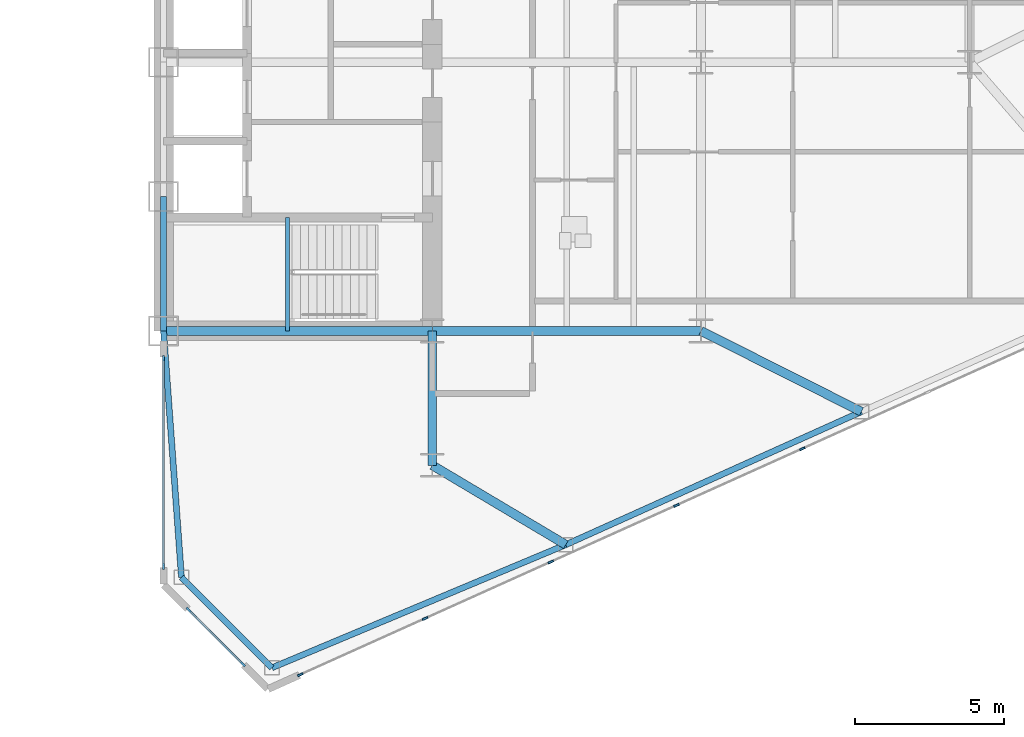
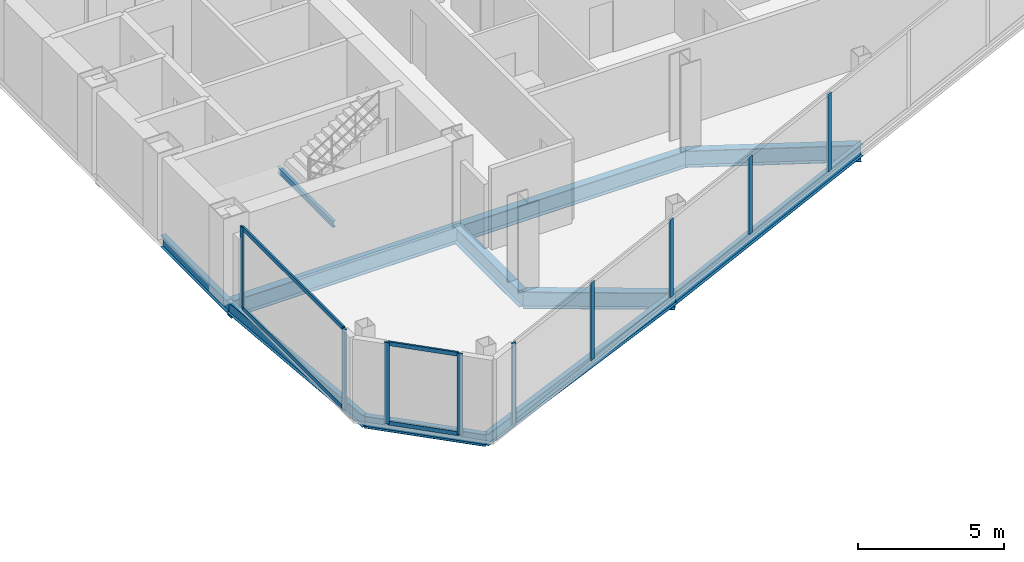
# One storey, part 10 of 27: 13 members, 11 beams, 3 elements without a shape of their own.
"""IFC4 building model written with IfcOpenShell, lengths in metres."""

from ifc_helpers import new_model, si_unit, direction, frame, origin, origin_2d, place, context, subcontext, project, spatial, rectangle, i_section, extrude, source, transform, mapped, material, layer, layer_set, material_profile, profile_set, type_object, type_shapes, element, aggregate, save


model = new_model("IFC4")

# Units and contexts
model_context = context("Model", 3, precision=1e-05, world=origin(), true_north=direction((0.0, 1.0)))
body_context = subcontext(model_context, "Body", "Model", "MODEL_VIEW")
ifc_project = project(units=[si_unit("LENGTHUNIT", "METRE"), si_unit("AREAUNIT", "SQUARE_METRE"), si_unit("VOLUMEUNIT", "CUBIC_METRE"), si_unit("PLANEANGLEUNIT", "RADIAN"), si_unit("MASSUNIT", "GRAM", prefix="KILO")], contexts=[model_context])

# Site, building, storey
site_placement = place(None, origin())
site = spatial("IfcSite", under=ifc_project, at=site_placement, CompositionType="ELEMENT")
building_placement = place(site_placement, origin())
building = spatial("IfcBuilding", under=site, at=building_placement, Name="Seokmaru Belvedere", CompositionType="ELEMENT")
storey_placement = place(building_placement, frame((0.0, 0.0, 96.0)))
storey = spatial("IfcBuildingStorey", under=building, at=storey_placement, Name="L25", CompositionType="ELEMENT", Elevation=96.0)

# Beams
ifc_material_1 = material(Name="Steel SM355 (355 MPa)", Category="steel")
ifc_material_profile_1 = material_profile(ifc_material_1, i_section(OverallWidth=0.199951171875, OverallDepth=0.5, WebThickness=0.010009765625, FlangeThickness=0.01611328125, at=origin_2d()), Name="H-500x200x10x16")
ifc_profile_set_1 = profile_set([ifc_material_profile_1], Name="Steel SM355 (355 MPa)")
beam_type_1 = type_object("IfcBeamType", Name="Perimeter Spandrel Beam H-500", PredefinedType="SPANDREL", material=ifc_profile_set_1)
shared_shape_1 = source(origin(), body_context, "Body", "SweptSolid", [
    extrude(i_section(OverallWidth=0.199951171875, OverallDepth=0.5, WebThickness=0.010009765625, FlangeThickness=0.01611328125, at=origin_2d()), origin(), (0.0, 0.0, 1.0), 4.5),
])
beam_1_placement = place(storey_placement, frame((27.5, -13.5, -0.469970703125), z_axis=(0.0, 1.0, 0.0), x_axis=(-1.0, 0.0, 0.0)))
element("IfcBeam", 1, at=beam_1_placement, inside=storey, type_object=beam_type_1, Name="L25 E Portal Spine Spandrel 1", PredefinedType="SPANDREL", context=body_context, shape_type="MappedRepresentation", body=[
    mapped(shared_shape_1, transform((0.0, 0.0, 0.0), scale=1.0)),
])
ifc_material_profile_2 = material_profile(ifc_material_1, i_section(OverallWidth=0.300048828125, OverallDepth=0.699951171875, WebThickness=0.012939453125, FlangeThickness=0.02392578125, at=origin_2d()), Name="H-700x300x13x24")
ifc_profile_set_2 = profile_set([ifc_material_profile_2], Name="Steel SM355 (355 MPa)")
beam_type_2 = type_object("IfcBeamType", Name="Primary Floor Girder H-700", PredefinedType="BEAM", material=ifc_profile_set_2)
shared_shape_2 = source(origin(), body_context, "Body", "SweptSolid", [
    extrude(i_section(OverallWidth=0.300048828125, OverallDepth=0.699951171875, WebThickness=0.012939453125, FlangeThickness=0.02392578125, at=origin_2d()), origin(), (0.0, 0.0, 1.0), 4.5),
])
beam_2_placement = place(storey_placement, frame((36.5, -18.0, -0.570068359375), z_axis=(0.0, 1.0, 0.0), x_axis=(-1.0, 0.0, 0.0)))
element("IfcBeam", 2, at=beam_2_placement, inside=storey, type_object=beam_type_2, Name="L25 E Core Shoulder Girder S", PredefinedType="BEAM", context=body_context, shape_type="MappedRepresentation", body=[
    mapped(shared_shape_2, transform((0.0, 0.0, 0.0), scale=1.0)),
])
shared_shape_3 = source(origin(), body_context, "Body", "SweptSolid", [
    extrude(i_section(OverallWidth=0.300048828125, OverallDepth=0.699951171875, WebThickness=0.012939453125, FlangeThickness=0.02392578125, at=origin_2d()), origin(), (0.0, 0.0, 1.0), 9.0),
])
for number, where, z_axis, x_axis, name in (
    (3, (27.5, -13.5, -0.570068359375), (1.0, 0.0, 0.0), (0.0, 1.0, 0.0), "L25 E Core Tie Girder 1"),
    (4, (36.5, -13.5, -0.570068359375), (1.0, 0.0, 0.0), (0.0, 1.0, 0.0), "L25 E Wing Primary Girder 1"),
):
    element("IfcBeam", number, at=place(storey_placement, frame(where, z_axis=z_axis, x_axis=x_axis)), inside=storey, type_object=beam_type_2, Name=name, PredefinedType="BEAM", context=body_context, shape_type="MappedRepresentation", body=[
        mapped(shared_shape_3, transform((0.0, 0.0, 0.0), scale=1.0)),
    ])
shared_shape_4 = source(origin(), body_context, "Body", "SweptSolid", [
    extrude(i_section(OverallWidth=0.199951171875, OverallDepth=0.5, WebThickness=0.010009765625, FlangeThickness=0.01611328125, at=origin_2d()), origin(), (0.0, 0.0, 1.0), 10.66943359375),
])
beam_3_placement = place(storey_placement, frame((31.13134765625, -24.782958984375, -0.469970703125), z_axis=(0.922375393128, 0.386294750355, 0.0), x_axis=(-0.386294750355, 0.922375393128, 0.0)))
element("IfcBeam", 5, at=beam_3_placement, inside=storey, type_object=beam_type_1, Name="L25 E Faceted Flank Spandrel S-1", PredefinedType="SPANDREL", context=body_context, shape_type="MappedRepresentation", body=[
    mapped(shared_shape_4, transform((0.0, 0.0, 0.0), scale=1.0)),
])
shared_shape_5 = source(origin(), body_context, "Body", "SweptSolid", [
    extrude(i_section(OverallWidth=0.199951171875, OverallDepth=0.5, WebThickness=0.010009765625, FlangeThickness=0.01611328125, at=origin_2d()), origin(), (0.0, 0.0, 1.0), 10.85888671875),
])
beam_4_placement = place(storey_placement, frame((40.97265625, -20.661376953125, -0.469970703125), z_axis=(0.911921505175, 0.410364677329, 0.0), x_axis=(-0.410364677329, 0.911921505175, 0.0)))
element("IfcBeam", 6, at=beam_4_placement, inside=storey, type_object=beam_type_1, Name="L25 E Faceted Flank Spandrel S-2", PredefinedType="SPANDREL", context=body_context, shape_type="MappedRepresentation", body=[
    mapped(shared_shape_5, transform((0.0, 0.0, 0.0), scale=1.0)),
])
shared_shape_6 = source(origin(), body_context, "Body", "SweptSolid", [
    extrude(i_section(OverallWidth=0.199951171875, OverallDepth=0.5, WebThickness=0.010009765625, FlangeThickness=0.01611328125, at=origin_2d()), origin(), (0.0, 0.0, 1.0), 4.287109375),
])
beam_5_placement = place(storey_placement, frame((31.13134765625, -24.782958984375, -0.469970703125), z_axis=(-0.707078306132, 0.707135255094, 0.0), x_axis=(-0.707135255094, -0.707078306132, 0.0)))
element("IfcBeam", 7, at=beam_5_placement, inside=storey, type_object=beam_type_1, Name="L25 E Shoulder Chamfer Spandrel S", PredefinedType="SPANDREL", context=body_context, shape_type="MappedRepresentation", body=[
    mapped(shared_shape_6, transform((0.0, 0.0, 0.0), scale=1.0)),
])
shared_shape_7 = source(origin(), body_context, "Body", "SweptSolid", [
    extrude(i_section(OverallWidth=0.199951171875, OverallDepth=0.5, WebThickness=0.010009765625, FlangeThickness=0.01611328125, at=origin_2d()), origin(), (0.0, 0.0, 1.0), 8.273193359375),
])
type_shapes(beam_type_1, [shared_shape_1, shared_shape_4, shared_shape_5, shared_shape_6, shared_shape_7])
beam_6_placement = place(storey_placement, frame((28.10009765625, -21.75146484375, -0.469970703125), z_axis=(-0.072534628348, 0.99736589459, 0.0), x_axis=(-0.99736589459, -0.072534628348, 0.0)))
element("IfcBeam", 8, at=beam_6_placement, inside=storey, type_object=beam_type_1, Name="L25 E Shoulder Spine Spandrel S", PredefinedType="SPANDREL", context=body_context, shape_type="MappedRepresentation", body=[
    mapped(shared_shape_7, transform((0.0, 0.0, 0.0), scale=1.0)),
])
shared_shape_8 = source(origin(), body_context, "Body", "SweptSolid", [
    extrude(i_section(OverallWidth=0.300048828125, OverallDepth=0.699951171875, WebThickness=0.012939453125, FlangeThickness=0.02392578125, at=origin_2d()), origin(), (0.0, 0.0, 1.0), 5.20458984375),
])
beam_7_placement = place(storey_placement, frame((40.97265625, -20.661376953125, -0.570068359375), z_axis=(-0.859370434188, 0.511353553662, 0.0), x_axis=(-0.511353553662, -0.859370434188, 0.0)))
element("IfcBeam", 9, at=beam_7_placement, inside=storey, type_object=beam_type_2, Name="L25 E Flank Radial Floor Girder S-1", PredefinedType="BEAM", context=body_context, shape_type="MappedRepresentation", body=[
    mapped(shared_shape_8, transform((0.0, 0.0, 0.0), scale=1.0)),
])
shared_shape_9 = source(origin(), body_context, "Body", "SweptSolid", [
    extrude(i_section(OverallWidth=0.300048828125, OverallDepth=0.699951171875, WebThickness=0.012939453125, FlangeThickness=0.02392578125, at=origin_2d()), origin(), (0.0, 0.0, 1.0), 6.017333984375),
])
type_shapes(beam_type_2, [shared_shape_2, shared_shape_3, shared_shape_8, shared_shape_9])
beam_8_placement = place(storey_placement, frame((50.875, -16.205322265625, -0.570068359375), z_axis=(-0.893239341975, 0.449581447512, 0.0), x_axis=(-0.449581447512, -0.893239341975, 0.0)))
element("IfcBeam", 10, at=beam_8_placement, inside=storey, type_object=beam_type_2, Name="L25 E Flank Radial Floor Girder S-2", PredefinedType="BEAM", context=body_context, shape_type="MappedRepresentation", body=[
    mapped(shared_shape_9, transform((0.0, 0.0, 0.0), scale=1.0)),
])

# Curtain wall, member
ifc_material_2 = material(Name="Bronze Triple Insulating Glass", Category="glass")
ifc_layer = layer(ifc_material_2, 0.195068359375)
ifc_layer_set = layer_set([ifc_layer], Name="Bronze Triple Insulating Glass")
curtain_wall_type = type_object("IfcCurtainWallType", Name="Lower-Mid Tapered Curtain Wall System CW-3", PredefinedType="NOTDEFINED", material=ifc_layer_set)
curtain_wall_1_placement = place(storey_placement, origin())
curtain_wall_1 = element("IfcCurtainWall", 11, at=curtain_wall_1_placement, inside=storey, type_object=curtain_wall_type, Name="L25 Curtain Wall EF1", PredefinedType="NOTDEFINED")
ifc_material_3 = material(Name="Anodised Bronze Aluminium", Category="aluminium")
ifc_material_profile_3 = material_profile(ifc_material_3, rectangle(XDim=0.070068359375, YDim=0.195068359375, at=origin_2d()), Name="CW-M-70x195")
ifc_profile_set_3 = profile_set([ifc_material_profile_3], Name="Anodised Bronze Aluminium")
member_type_1 = type_object("IfcMemberType", Name="Bronze Unitised Mullion 70x195", PredefinedType="MULLION", material=ifc_profile_set_3)
shared_shape_10 = source(origin(), body_context, "Body", "SweptSolid", [
    extrude(rectangle(XDim=0.070068359375, YDim=0.195068359375, at=origin_2d()), origin(), (0.0, 0.0, 1.0), 3.3798828125),
])
member_1_placement = place(storey_placement, frame((32.08056640625, -25.013671875, 0.0), z_axis=(0.0, 0.0, 1.0), x_axis=(-0.41036554765, 0.91192111353, 0.0)))
member_1 = element("IfcMember", 12, at=member_1_placement, type_object=member_type_1, Name="CW:L25:EF1 Mullion 1", PredefinedType="MULLION", context=body_context, shape_type="MappedRepresentation", body=[
    mapped(shared_shape_10, transform((0.0, 0.0, 0.0), scale=1.0)),
])

# Curtain wall, members
curtain_wall_2_placement = place(storey_placement, origin())
curtain_wall_2 = element("IfcCurtainWall", 13, at=curtain_wall_2_placement, inside=storey, type_object=curtain_wall_type, Name="L25 Curtain Wall ESP_1", PredefinedType="NOTDEFINED")
member_2_placement = place(storey_placement, frame((27.5, -14.4150390625, 0.0), z_axis=(0.0, 0.0, 1.0), x_axis=(1.0, 0.0, 0.0)))
member_2 = element("IfcMember", 14, at=member_2_placement, type_object=member_type_1, Name="CW:L25:ESP_1 Mullion 1", PredefinedType="MULLION", context=body_context, shape_type="MappedRepresentation", body=[
    mapped(shared_shape_10, transform((0.0, 0.0, 0.0), scale=1.0)),
])
member_3_placement = place(storey_placement, frame((27.5, -21.39501953125, 0.0), z_axis=(0.0, 0.0, 1.0), x_axis=(1.0, 0.0, 0.0)))
member_3 = element("IfcMember", 15, at=member_3_placement, type_object=member_type_1, Name="CW:L25:ESP_1 Mullion 2", PredefinedType="MULLION", context=body_context, shape_type="MappedRepresentation", body=[
    mapped(shared_shape_10, transform((0.0, 0.0, 0.0), scale=1.0)),
])

curtain_wall_3_placement = place(storey_placement, origin())
curtain_wall_3 = element("IfcCurtainWall", 16, at=curtain_wall_3_placement, inside=storey, type_object=curtain_wall_type, Name="L25 Curtain Wall EF6", PredefinedType="NOTDEFINED")
member_4_placement = place(storey_placement, frame((28.337890625, -22.837890625, 0.0), z_axis=(0.0, 0.0, 1.0), x_axis=(0.707106781187, 0.707106781187, 0.0)))
member_4 = element("IfcMember", 17, at=member_4_placement, type_object=member_type_1, Name="CW:L25:EF6 Mullion 1", PredefinedType="MULLION", context=body_context, shape_type="MappedRepresentation", body=[
    mapped(shared_shape_10, transform((0.0, 0.0, 0.0), scale=1.0)),
])
member_5_placement = place(storey_placement, frame((30.162109375, -24.662109375, 0.0), z_axis=(0.0, 0.0, 1.0), x_axis=(0.707106781187, 0.707106781187, 0.0)))
member_5 = element("IfcMember", 18, at=member_5_placement, type_object=member_type_1, Name="CW:L25:EF6 Mullion 2", PredefinedType="MULLION", context=body_context, shape_type="MappedRepresentation", body=[
    mapped(shared_shape_10, transform((0.0, 0.0, 0.0), scale=1.0)),
])

# Member
ifc_material_profile_4 = material_profile(ifc_material_3, rectangle(XDim=0.070068359375, YDim=0.1650390625, at=origin_2d()), Name="CW-T-70x165")
ifc_profile_set_4 = profile_set([ifc_material_profile_4], Name="Anodised Bronze Aluminium")
member_type_2 = type_object("IfcMemberType", Name="Bronze Unitised Transom 70x165", PredefinedType="USERDEFINED", material=ifc_profile_set_4)
shared_shape_11 = source(origin(), body_context, "Body", "SweptSolid", [
    extrude(rectangle(XDim=0.070068359375, YDim=0.1650390625, at=origin_2d()), origin(), (0.0, 0.0, 1.0), 6.91015625),
])
member_6_placement = place(storey_placement, frame((27.5, -14.449951171875, 0.034912109375), z_axis=(0.0, -1.0, 0.0), x_axis=(1.0, 0.0, 0.0)))
member_6 = element("IfcMember", 19, at=member_6_placement, type_object=member_type_2, Name="CW:L25:ESP_1 Continuous Transom 1", ObjectType="TRANSOM", PredefinedType="USERDEFINED", context=body_context, shape_type="MappedRepresentation", body=[
    mapped(shared_shape_11, transform((0.0, 0.0, 0.0), scale=1.0)),
])

member_7_placement = place(storey_placement, frame((27.5, -14.449951171875, 3.344970703125), z_axis=(0.0, -1.0, 0.0), x_axis=(1.0, 0.0, 0.0)))
member_7 = element("IfcMember", 20, at=member_7_placement, type_object=member_type_2, Name="CW:L25:ESP_1 Continuous Transom 2", ObjectType="TRANSOM", PredefinedType="USERDEFINED", context=body_context, shape_type="MappedRepresentation", body=[
    mapped(shared_shape_11, transform((0.0, 0.0, 0.0), scale=1.0)),
])

aggregate(curtain_wall_2, [member_2, member_3, member_6, member_7])

shared_shape_12 = source(origin(), body_context, "Body", "SweptSolid", [
    extrude(rectangle(XDim=0.070068359375, YDim=0.1650390625, at=origin_2d()), origin(), (0.0, 0.0, 1.0), 2.509521484375),
])
type_shapes(member_type_2, [shared_shape_11, shared_shape_12])
member_8_placement = place(storey_placement, frame((28.36279296875, -22.86279296875, 0.034912109375), z_axis=(0.707106781187, -0.707106781187, 0.0), x_axis=(0.707106781187, 0.707106781187, 0.0)))
member_8 = element("IfcMember", 21, at=member_8_placement, type_object=member_type_2, Name="CW:L25:EF6 Continuous Transom 1", ObjectType="TRANSOM", PredefinedType="USERDEFINED", context=body_context, shape_type="MappedRepresentation", body=[
    mapped(shared_shape_12, transform((0.0, 0.0, 0.0), scale=1.0)),
])

member_9_placement = place(storey_placement, frame((28.36279296875, -22.86279296875, 3.344970703125), z_axis=(0.707106781187, -0.707106781187, 0.0), x_axis=(0.707106781187, 0.707106781187, 0.0)))
member_9 = element("IfcMember", 22, at=member_9_placement, type_object=member_type_2, Name="CW:L25:EF6 Continuous Transom 2", ObjectType="TRANSOM", PredefinedType="USERDEFINED", context=body_context, shape_type="MappedRepresentation", body=[
    mapped(shared_shape_12, transform((0.0, 0.0, 0.0), scale=1.0)),
])

aggregate(curtain_wall_3, [member_4, member_5, member_8, member_9])

shared_shape_13 = source(origin(), body_context, "Body", "SweptSolid", [
    extrude(rectangle(XDim=0.070068359375, YDim=0.195068359375, at=origin_2d()), origin(), (0.0, 0.0, 1.0), 3.239990234375),
])
type_shapes(member_type_1, [shared_shape_10, shared_shape_13])
member_10_placement = place(storey_placement, frame((36.260009765625, -23.133056640625, 0.070068359375), z_axis=(0.0, 0.0, 1.0), x_axis=(-0.41036554765, 0.91192111353, 0.0)))
member_10 = element("IfcMember", 23, at=member_10_placement, type_object=member_type_1, Name="CW:L25:EF1 Mullion 2", PredefinedType="MULLION", context=body_context, shape_type="MappedRepresentation", body=[
    mapped(shared_shape_13, transform((0.0, 0.0, 0.0), scale=1.0)),
])

member_11_placement = place(storey_placement, frame((40.471435546875, -21.23779296875, 0.070068359375), z_axis=(0.0, 0.0, 1.0), x_axis=(-0.41036554765, 0.91192111353, 0.0)))
member_11 = element("IfcMember", 24, at=member_11_placement, type_object=member_type_1, Name="CW:L25:EF1 Mullion 3", PredefinedType="MULLION", context=body_context, shape_type="MappedRepresentation", body=[
    mapped(shared_shape_13, transform((0.0, 0.0, 0.0), scale=1.0)),
])

member_12_placement = place(storey_placement, frame((44.682861328125, -19.3427734375, 0.070068359375), z_axis=(0.0, 0.0, 1.0), x_axis=(-0.41036554765, 0.91192111353, 0.0)))
member_12 = element("IfcMember", 25, at=member_12_placement, type_object=member_type_1, Name="CW:L25:EF1 Mullion 4", PredefinedType="MULLION", context=body_context, shape_type="MappedRepresentation", body=[
    mapped(shared_shape_13, transform((0.0, 0.0, 0.0), scale=1.0)),
])

member_13_placement = place(storey_placement, frame((48.894287109375, -17.447509765625, 0.070068359375), z_axis=(0.0, 0.0, 1.0), x_axis=(-0.41036554765, 0.91192111353, 0.0)))
member_13 = element("IfcMember", 26, at=member_13_placement, type_object=member_type_1, Name="CW:L25:EF1 Mullion 5", PredefinedType="MULLION", context=body_context, shape_type="MappedRepresentation", body=[
    mapped(shared_shape_13, transform((0.0, 0.0, 0.0), scale=1.0)),
])

aggregate(curtain_wall_1, [member_1, member_10, member_11, member_12, member_13])

# Beam
ifc_material_profile_5 = material_profile(ifc_material_1, i_section(OverallWidth=0.125, OverallDepth=0.25, WebThickness=0.006103515625, FlangeThickness=0.009033203125, at=origin_2d()), Name="H-250x125x6x9")
ifc_profile_set_5 = profile_set([ifc_material_profile_5], Name="Steel SM355 (355 MPa)")
beam_type_3 = type_object("IfcBeamType", Name="Stair Mid-Landing Support Beam H-250", PredefinedType="JOIST", material=ifc_profile_set_5)
shared_shape_14 = source(origin(), body_context, "Body", "SweptSolid", [
    extrude(i_section(OverallWidth=0.125, OverallDepth=0.25, WebThickness=0.006103515625, FlangeThickness=0.009033203125, at=origin_2d()), origin(), (0.0, 0.0, 1.0), 3.800048828125),
])
type_shapes(beam_type_3, [shared_shape_14])
beam_9_placement = place(storey_placement, frame((31.64990234375, -13.5, 1.47509765625), z_axis=(0.0, 1.0, 0.0), x_axis=(-1.0, 0.0, 0.0)))
element("IfcBeam", 27, at=beam_9_placement, inside=storey, type_object=beam_type_3, Name="L25 Stair ST-E1 Mid-Landing Support Beam 1", PredefinedType="JOIST", context=body_context, shape_type="MappedRepresentation", body=[
    mapped(shared_shape_14, transform((0.0, 0.0, 0.0), scale=1.0)),
])

save(model, "model.ifc")
